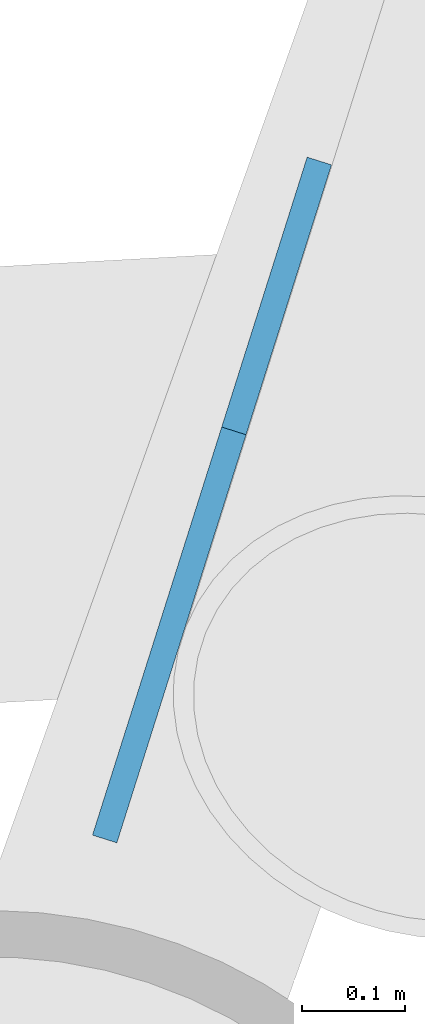
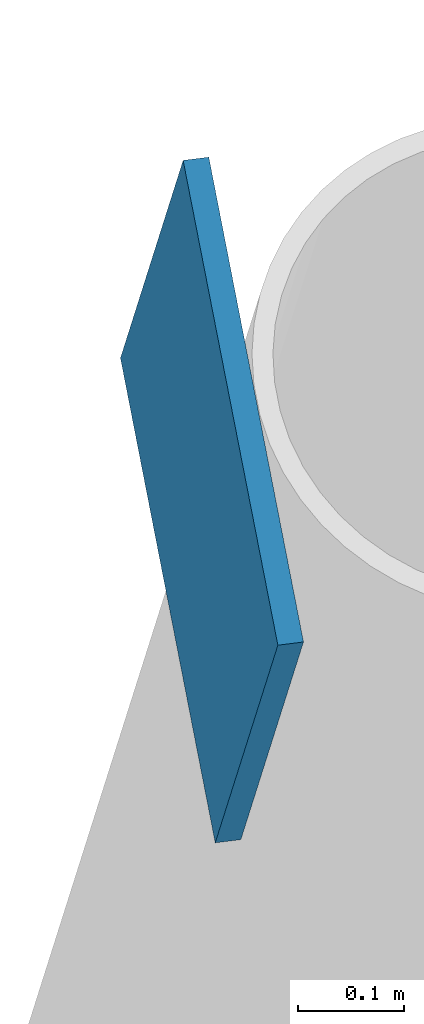
# One storey, part 13 of 23: 1 discrete accessory.
"""IFC4 building model written with IfcOpenShell, lengths in metres."""

import ifcopenshell
import ifcopenshell.guid

model = None  # the IFC model being written
_history = None  # IfcOwnerHistory: only IFC2X3 demands one
_inside = {}  # id of a spatial element -> (the spatial element, [elements in it])
_under = {}  # id of a project, library or spatial element -> (it, [spatial elements below it])
_declared = {}  # id of a project -> (the project, [libraries it declares])
_typed = {}  # id of a type object -> (the type object, [elements of that type])
_made_of = {}  # id of a material, layer set ... -> (it, [elements and type objects made of it])


def new_model(schema):
    """Start an empty IFC model of exactly this schema.

    Asked for "IFC4X3", IfcOpenShell would pick the latest addendum, in which some entities
    have other attributes; the version numbers below select the first issue.
    IFC2X3 requires an IfcOwnerHistory on every rooted entity: one is made here for all.
    """
    global model, _history
    if schema == "IFC4X3":
        model = ifcopenshell.file(schema_version=(4, 3, 0, 0))
    else:
        model = ifcopenshell.file(schema=schema)
    _inside.clear()
    _under.clear()
    _declared.clear()
    _typed.clear()
    _made_of.clear()
    _history = None
    if model.schema == "IFC2X3":
        org = make("IfcOrganization", Name="unknown")
        user = make(
            "IfcPersonAndOrganization",
            ThePerson=make("IfcPerson", FamilyName="unknown"),
            TheOrganization=org,
        )
        app = make(
            "IfcApplication",
            ApplicationDeveloper=org,
            Version="unknown",
            ApplicationFullName="unknown",
            ApplicationIdentifier="unknown",
        )
        _history = make(
            "IfcOwnerHistory",
            OwningUser=user,
            OwningApplication=app,
            ChangeAction="ADDED",
            CreationDate=0,
        )
    return model


def make(cls, **values):
    """One entity of the class cls with the attributes given. An attribute that is None is left unset."""
    return model.create_entity(
        cls, **{name: value for name, value in values.items() if value is not None}
    )


def rooted(cls, **values):
    """An entity with a GlobalId (a new one), such as an element, a storey or a relation."""
    return make(cls, GlobalId=ifcopenshell.guid.new(), OwnerHistory=_history, **values)


def si_unit(unit_type, name, prefix=None):
    """IfcSIUnit, for example si_unit("LENGTHUNIT", "METRE", prefix="MILLI")."""
    return make("IfcSIUnit", UnitType=unit_type, Prefix=prefix, Name=name)


def assignment(units):
    """IfcUnitAssignment: the units of a project."""
    return None if units is None else make("IfcUnitAssignment", Units=units)


def point(xyz):
    """IfcCartesianPoint."""
    return None if xyz is None else make("IfcCartesianPoint", Coordinates=xyz)


def direction(xyz):
    """IfcDirection."""
    return None if xyz is None else make("IfcDirection", DirectionRatios=xyz)


def frame(location, z_axis=None, x_axis=None):
    """IfcAxis2Placement3D, a coordinate frame: its origin and axes. An axis left out is left unset."""
    return make(
        "IfcAxis2Placement3D",
        Location=point(location),
        Axis=direction(z_axis),
        RefDirection=direction(x_axis),
    )


def frame_2d(location, x_axis=None):
    """IfcAxis2Placement2D, a coordinate frame in the plane: its origin and x axis."""
    return make(
        "IfcAxis2Placement2D", Location=point(location), RefDirection=direction(x_axis)
    )


def origin():
    """The frame at (0, 0, 0) with its axes left unset."""
    return frame((0.0, 0.0, 0.0))


def origin_2d():
    """The frame at (0, 0) in the plane with its x axis left unset."""
    return frame_2d((0.0, 0.0))


def place(relative_to, where):
    """IfcLocalPlacement: puts the frame where relative to a parent placement (None: the world)."""
    return make(
        "IfcLocalPlacement", PlacementRelTo=relative_to, RelativePlacement=where
    )


def context(
    kind, dimensions, precision=None, world=None, true_north=None, identifier=None
):
    """IfcGeometricRepresentationContext, for example the 3D "Model" context."""
    return make(
        "IfcGeometricRepresentationContext",
        ContextIdentifier=identifier,
        ContextType=kind,
        CoordinateSpaceDimension=dimensions,
        Precision=precision,
        WorldCoordinateSystem=world,
        TrueNorth=true_north,
    )


def subcontext(parent, identifier, kind, view, scale=None):
    """IfcGeometricRepresentationSubContext, for example "Body" below "Model"."""
    return make(
        "IfcGeometricRepresentationSubContext",
        ContextIdentifier=identifier,
        ContextType=kind,
        ParentContext=parent,
        TargetScale=scale,
        TargetView=view,
    )


def project(units=None, contexts=None):
    """IfcProject with its units and contexts."""
    return rooted(
        "IfcProject",
        Name="project",
        RepresentationContexts=contexts,
        UnitsInContext=assignment(units),
    )


def spatial(cls, under=None, at=None, **own):
    """A site, building, storey or space (cls), placed at a placement, below another one or the project."""
    s = rooted(cls, ObjectPlacement=at, **own)
    if under is not None:
        _under.setdefault(under.id(), (under, []))[1].append(s)
    return s


def profile(cls, at=None, kind="AREA", **sizes):
    """A parametric profile (cls). Its sizes go by their IFC names, for example OverallWidth=200.0."""
    return make(cls, ProfileType=kind, Position=at, **sizes)


def rectangle(**sizes):
    """IfcRectangleProfileDef."""
    return profile("IfcRectangleProfileDef", **sizes)


def extrude(swept, where, along, depth):
    """IfcExtrudedAreaSolid: the profile swept, set in the frame where, extruded along a direction by depth."""
    return make(
        "IfcExtrudedAreaSolid",
        SweptArea=swept,
        Position=where,
        ExtrudedDirection=direction(along),
        Depth=depth,
    )


def shape(context_of_items, identifier, shape_type, items):
    """IfcShapeRepresentation: the items that make up one representation, for example the "Body"."""
    return make(
        "IfcShapeRepresentation",
        ContextOfItems=context_of_items,
        RepresentationIdentifier=identifier,
        RepresentationType=shape_type,
        Items=items,
    )


def material(Name=None, Category=None):
    """IfcMaterial."""
    return make("IfcMaterial", Name=Name, Category=Category)


def material_profile(
    of_material, cross_section, Name=None, Category=None, Priority=None
):
    """IfcMaterialProfile: a cross section and its material."""
    return make(
        "IfcMaterialProfile",
        Name=Name,
        Material=of_material,
        Profile=cross_section,
        Priority=Priority,
        Category=Category,
    )


def profile_set(profiles, Name=None, composite=None):
    """IfcMaterialProfileSet."""
    return make(
        "IfcMaterialProfileSet",
        Name=Name,
        MaterialProfiles=profiles,
        CompositeProfile=composite,
    )


def made_of(thing, what):
    """Note that an element or type object is made of a material, layer set ...; save() writes the relation."""
    if what is not None:
        _made_of.setdefault(what.id(), (what, []))[1].append(thing)
    return thing


def type_object(cls, material=None, **own):
    """A type object (cls), such as IfcWallType, which elements share."""
    return made_of(rooted(cls, **own), material)


def element(
    cls,
    number,
    at=None,
    inside=None,
    cuts=None,
    type_object=None,
    material=None,
    context=None,
    identifier="Body",
    shape_type=None,
    held_by="IfcProductDefinitionShape",
    body=None,
    shapes=None,
    **own,
):
    """One element of the class cls, such as IfcWall. Its Tag is "e" and its number.

    at: its placement. inside: the storey or other place that contains it. cuts: it is an
    opening in that element (IfcRelVoidsElement). A single representation is given by context,
    identifier, shape_type and body (its items); several are given by shapes. held_by: the class
    of the entity that holds the representations. save() writes the other relations.
    """
    e = rooted(cls, Tag="e%d" % number, ObjectPlacement=at, **own)
    if body is not None:
        shapes = [shape(context, identifier, shape_type, body)]
    if shapes is not None:
        e.Representation = make(held_by, Representations=shapes)
    if inside is not None:
        _inside.setdefault(inside.id(), (inside, []))[1].append(e)
    if cuts is not None:
        rooted(
            "IfcRelVoidsElement", RelatingBuildingElement=cuts, RelatedOpeningElement=e
        )
    if type_object is not None:
        _typed.setdefault(type_object.id(), (type_object, []))[1].append(e)
    return made_of(e, material)


def aggregate(whole, parts):
    """IfcRelAggregates: a whole, such as a stair, and the parts it consists of."""
    return rooted("IfcRelAggregates", RelatingObject=whole, RelatedObjects=parts)


def save(model, path):
    """Write the relations noted so far, then the file.

    IfcRelAggregates (storeys below a building ...), IfcRelContainedInSpatialStructure (elements
    in a storey), IfcRelDefinesByType, IfcRelAssociatesMaterial and IfcRelDeclares: one each for
    every whole, place, type object, material and project.
    """
    for whole, parts in _under.values():
        aggregate(whole, parts)
    for where, things in _inside.values():
        rooted(
            "IfcRelContainedInSpatialStructure",
            RelatedElements=things,
            RelatingStructure=where,
        )
    for kind, things in _typed.values():
        rooted("IfcRelDefinesByType", RelatedObjects=things, RelatingType=kind)
    for what, things in _made_of.values():
        rooted("IfcRelAssociatesMaterial", RelatedObjects=things, RelatingMaterial=what)
    for by, libraries in _declared.values():
        rooted("IfcRelDeclares", RelatingContext=by, RelatedDefinitions=libraries)
    model.write(path)


model = new_model("IFC4")

# Units and contexts
model_context = context("Model", 3, precision=1e-05, world=origin(), true_north=direction((0.0, 1.0)))
body_context = subcontext(model_context, "Body", "Model", "MODEL_VIEW")
ifc_project = project(units=[si_unit("LENGTHUNIT", "METRE"), si_unit("AREAUNIT", "SQUARE_METRE"), si_unit("VOLUMEUNIT", "CUBIC_METRE"), si_unit("PLANEANGLEUNIT", "RADIAN"), si_unit("MASSUNIT", "GRAM", prefix="KILO")], contexts=[model_context])

# Site, building, storey
site_placement = place(None, origin())
site = spatial("IfcSite", under=ifc_project, at=site_placement, CompositionType="ELEMENT")
building_placement = place(site_placement, origin())
building = spatial("IfcBuilding", under=site, at=building_placement, Name="Tarsis Ring Headquarters", CompositionType="ELEMENT")
storey_placement = place(building_placement, frame((0.0, 0.0, 239.39990234375)))
storey = spatial("IfcBuildingStorey", under=building, at=storey_placement, Name="L56", CompositionType="ELEMENT", Elevation=239.39990234375)

# Discrete accessory
ifc_material = material(Name="Structural steel S355", Category="steel")
ifc_material_profile = material_profile(ifc_material, rectangle(XDim=0.02490234375, YDim=0.5, at=origin_2d()), Name="PL 25x500")
ifc_profile_set = profile_set([ifc_material_profile], Name="Structural steel S355")
discrete_accessory_type = type_object("IfcDiscreteAccessoryType", Name="Gusset plate Exo brace 25", PredefinedType="BRACKET", material=ifc_profile_set)
discrete_accessory_placement = place(storey_placement, frame((24.926025390625, -14.4033203125, 7.800048828125), z_axis=(0.166452581114, 0.525716803107, -0.834215428514), x_axis=(-0.953354962728, 0.30185147845, 0.0)))
element("IfcDiscreteAccessory", 1, at=discrete_accessory_placement, inside=storey, type_object=discrete_accessory_type, Name="Gusset plate GP5", PredefinedType="BRACKET", context=body_context, shape_type="SweptSolid", body=[
    extrude(rectangle(XDim=0.02490234375, YDim=0.5, at=origin_2d()), origin(), (0.0, 0.0, 1.0), 0.500244140625),
])

save(model, "model.ifc")
